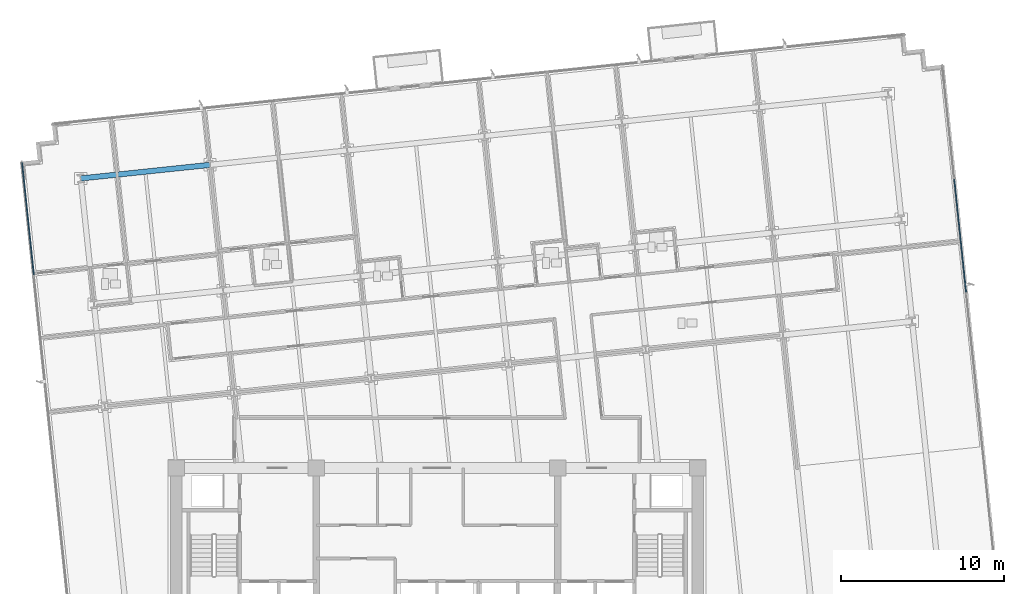
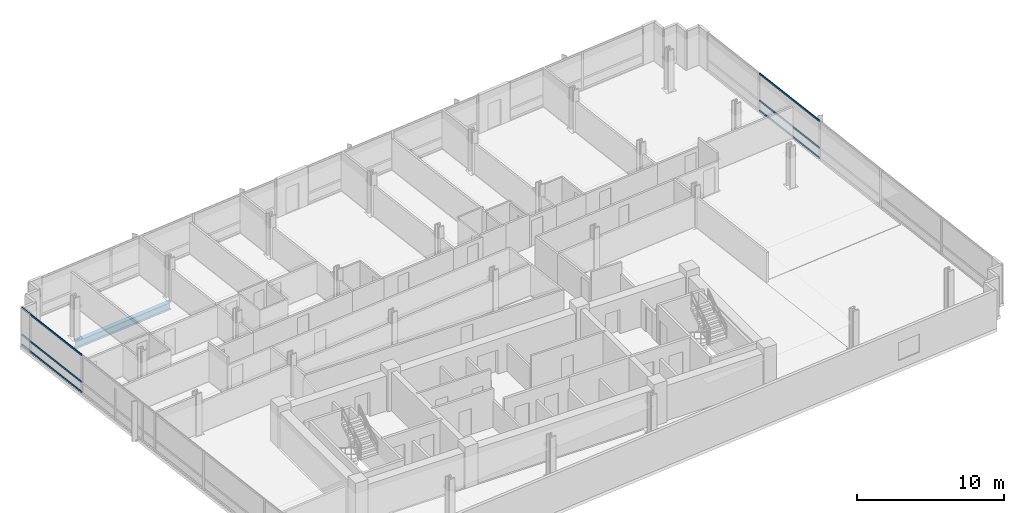
# One storey, part 6 of 18: 6 members, 1 beam, 2 elements without a shape of their own.
"""IFC4 building model written with IfcOpenShell, lengths in metres."""

from ifc_helpers import new_model, si_unit, direction, frame, origin, origin_2d, place, context, subcontext, project, spatial, rectangle, i_section, extrude, material, material_profile, profile_set, type_object, element, aggregate, save


model = new_model("IFC4")

# Units and contexts
model_context = context("Model", 3, precision=1e-05, world=origin(), true_north=direction((0.0, 1.0)))
body_context = subcontext(model_context, "Body", "Model", "MODEL_VIEW")
ifc_project = project(units=[si_unit("LENGTHUNIT", "METRE"), si_unit("AREAUNIT", "SQUARE_METRE"), si_unit("VOLUMEUNIT", "CUBIC_METRE"), si_unit("PLANEANGLEUNIT", "RADIAN"), si_unit("MASSUNIT", "GRAM", prefix="KILO")], contexts=[model_context])

# Site, building, storey
site_placement = place(None, origin())
site = spatial("IfcSite", under=ifc_project, at=site_placement, CompositionType="ELEMENT")
building_placement = place(site_placement, origin())
building = spatial("IfcBuilding", under=site, at=building_placement, Name="Solmavex Isthmus Hotel", CompositionType="ELEMENT")
storey_placement = place(building_placement, frame((0.0, 0.0, 120.14990234375)))
storey = spatial("IfcBuildingStorey", under=building, at=storey_placement, Name="L32", CompositionType="ELEMENT", Elevation=120.14990234375)

# Beam
ifc_material_1 = material(Name="Steel ASTM A992 Grade 50", Category="steel")
ifc_material_profile_1 = material_profile(ifc_material_1, i_section(OverallWidth=0.326416015625, OverallDepth=0.621826171875, WebThickness=0.015380859375, FlangeThickness=0.0244140625, FilletRadius=0.01513671875, at=origin_2d()), Name="W24X131")
ifc_profile_set_1 = profile_set([ifc_material_profile_1], Name="Steel ASTM A992 Grade 50")
beam_type = type_object("IfcBeamType", Name="BM-SP-W24X131", PredefinedType="SPANDREL", material=ifc_profile_set_1)
beam_placement = place(storey_placement, frame((-21.851806640625, 15.2587890625, -0.57080078125), z_axis=(0.994523402738, 0.104514120609, 0.0), x_axis=(-0.104514120609, 0.994523402738, 0.0)))
element("IfcBeam", 1, at=beam_placement, inside=storey, type_object=beam_type, Name="Floor Girder L32-UG19", PredefinedType="SPANDREL", context=body_context, shape_type="SweptSolid", body=[
    extrude(i_section(OverallWidth=0.326416015625, OverallDepth=0.621826171875, WebThickness=0.015380859375, FlangeThickness=0.0244140625, FilletRadius=0.01513671875, at=origin_2d()), origin(), (0.0, 0.0, 1.0), 7.968017578125),
])

# Curtain wall, members
ifc_material_2 = material(Name="Aluminium alloy 6063-T6", Category="aluminium")
curtain_wall_type = type_object("IfcCurtainWallType", Name="CW-SYS-03", PredefinedType="NOTDEFINED", material=ifc_material_2)
curtain_wall_1_placement = place(storey_placement, origin())
curtain_wall_1 = element("IfcCurtainWall", 2, at=curtain_wall_1_placement, inside=storey, type_object=curtain_wall_type, Name="Stick Curtain Wall CWL-L32-W1", PredefinedType="NOTDEFINED")
ifc_material_profile_2 = material_profile(ifc_material_2, rectangle(XDim=0.070068359375, YDim=0.139892578125, at=origin_2d()), Name="CWT-70X140")
ifc_profile_set_2 = profile_set([ifc_material_profile_2], Name="Aluminium alloy 6063-T6")
member_type = type_object("IfcMemberType", Name="CW-SYS-03-TRN", PredefinedType="USERDEFINED", material=ifc_profile_set_2)
member_1_placement = place(storey_placement, frame((-24.728759765625, 9.340576171875, 0.070068359375), z_axis=(-0.104539595565, 0.994520725254, 0.0), x_axis=(-0.994520725254, -0.104539595565, 0.0)))
member_1 = element("IfcMember", 3, at=member_1_placement, type_object=member_type, Name="CW-03 transom 5.1", ObjectType="TRANSOM", PredefinedType="USERDEFINED", context=body_context, shape_type="SweptSolid", body=[
    extrude(rectangle(XDim=0.070068359375, YDim=0.139892578125, at=origin_2d()), origin(), (0.0, 0.0, 1.0), 6.9150390625),
])
member_2_placement = place(storey_placement, frame((-24.728759765625, 9.340576171875, 0.900146484375), z_axis=(-0.104539595565, 0.994520725254, 0.0), x_axis=(-0.994520725254, -0.104539595565, 0.0)))
member_2 = element("IfcMember", 4, at=member_2_placement, type_object=member_type, Name="CW-03 transom 5.2", ObjectType="TRANSOM", PredefinedType="USERDEFINED", context=body_context, shape_type="SweptSolid", body=[
    extrude(rectangle(XDim=0.070068359375, YDim=0.139892578125, at=origin_2d()), origin(), (0.0, 0.0, 1.0), 6.9150390625),
])
member_3_placement = place(storey_placement, frame((-24.728759765625, 9.340576171875, 3.1201171875), z_axis=(-0.104539595565, 0.994520725254, 0.0), x_axis=(-0.994520725254, -0.104539595565, 0.0)))
member_3 = element("IfcMember", 5, at=member_3_placement, type_object=member_type, Name="CW-03 transom 5.3", ObjectType="TRANSOM", PredefinedType="USERDEFINED", context=body_context, shape_type="SweptSolid", body=[
    extrude(rectangle(XDim=0.070068359375, YDim=0.139892578125, at=origin_2d()), origin(), (0.0, 0.0, 1.0), 6.9150390625),
])
aggregate(curtain_wall_1, [member_1, member_2, member_3])

curtain_wall_2_placement = place(storey_placement, origin())
curtain_wall_2 = element("IfcCurtainWall", 6, at=curtain_wall_2_placement, inside=storey, type_object=curtain_wall_type, Name="Stick Curtain Wall CWL-L32-E1", PredefinedType="NOTDEFINED")
member_4_placement = place(storey_placement, frame((32.4541015625, 8.2919921875, 0.070068359375), z_axis=(-0.104538500317, 0.994520840381, 0.0), x_axis=(-0.994520840381, -0.104538500317, 0.0)))
member_4 = element("IfcMember", 7, at=member_4_placement, type_object=member_type, Name="CW-03 transom 4.1", ObjectType="TRANSOM", PredefinedType="USERDEFINED", context=body_context, shape_type="SweptSolid", body=[
    extrude(rectangle(XDim=0.070068359375, YDim=0.139892578125, at=origin_2d()), origin(), (0.0, 0.0, 1.0), 6.9501953125),
])
member_5_placement = place(storey_placement, frame((32.4541015625, 8.2919921875, 0.900146484375), z_axis=(-0.104538500317, 0.994520840381, 0.0), x_axis=(-0.994520840381, -0.104538500317, 0.0)))
member_5 = element("IfcMember", 8, at=member_5_placement, type_object=member_type, Name="CW-03 transom 4.2", ObjectType="TRANSOM", PredefinedType="USERDEFINED", context=body_context, shape_type="SweptSolid", body=[
    extrude(rectangle(XDim=0.070068359375, YDim=0.139892578125, at=origin_2d()), origin(), (0.0, 0.0, 1.0), 6.9501953125),
])
member_6_placement = place(storey_placement, frame((32.4541015625, 8.2919921875, 3.1201171875), z_axis=(-0.104538500317, 0.994520840381, 0.0), x_axis=(-0.994520840381, -0.104538500317, 0.0)))
member_6 = element("IfcMember", 9, at=member_6_placement, type_object=member_type, Name="CW-03 transom 4.3", ObjectType="TRANSOM", PredefinedType="USERDEFINED", context=body_context, shape_type="SweptSolid", body=[
    extrude(rectangle(XDim=0.070068359375, YDim=0.139892578125, at=origin_2d()), origin(), (0.0, 0.0, 1.0), 6.9501953125),
])
aggregate(curtain_wall_2, [member_4, member_5, member_6])

save(model, "model.ifc")
